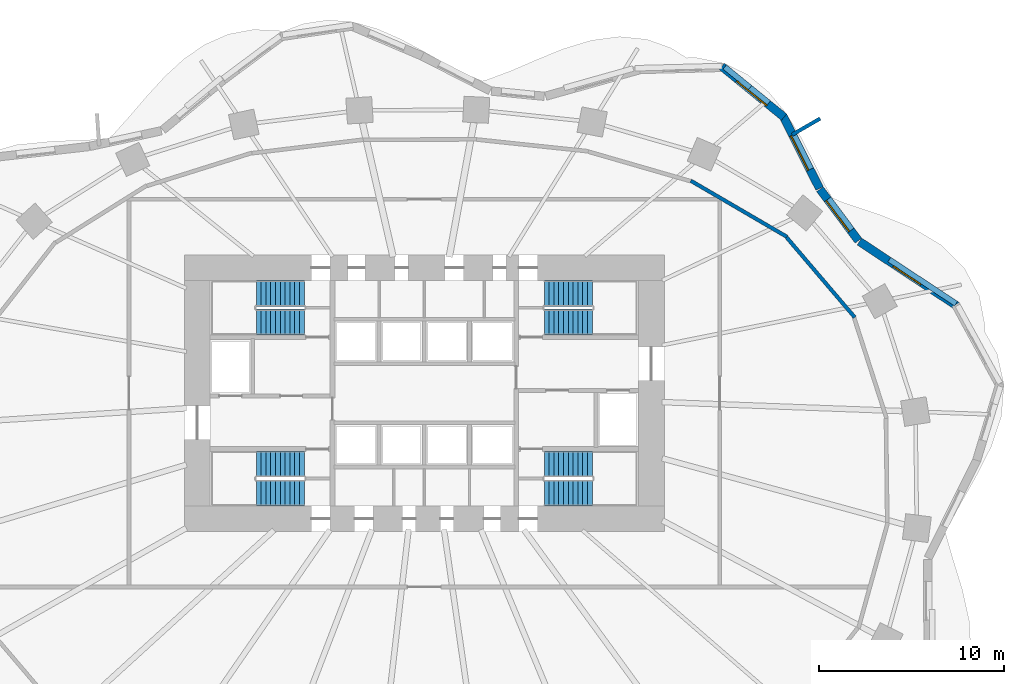
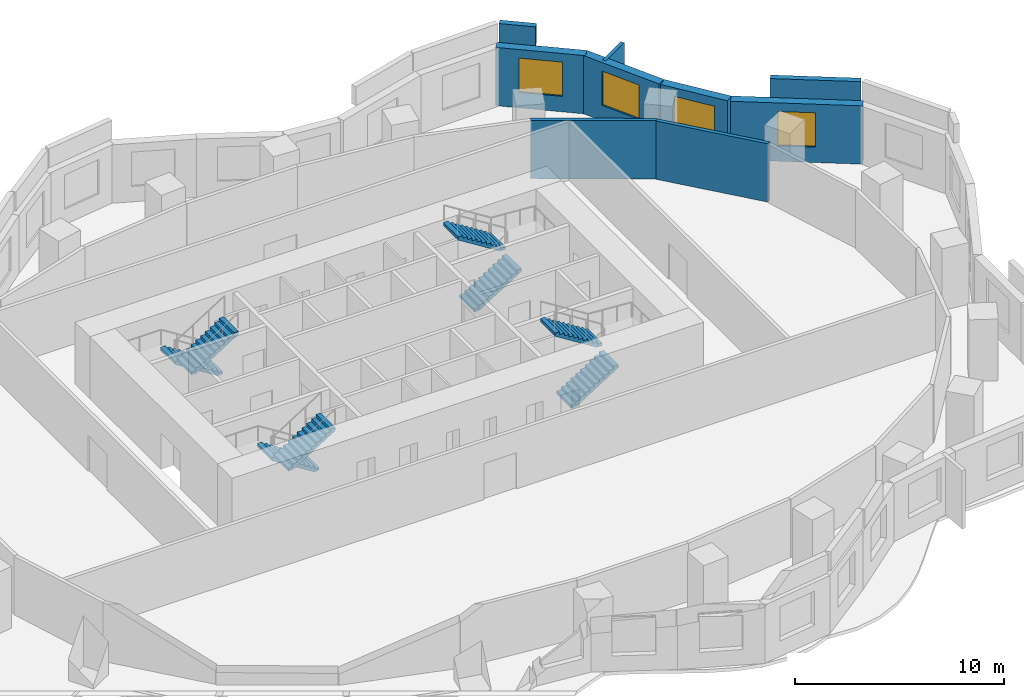
# One storey, part 7 of 8: 9 walls, 8 stair flights, 4 windows, 4 openings, 4 elements without a shape of their own.
"""IFC4 building model written with IfcOpenShell, lengths in metres."""

from ifc_helpers import new_model, si_unit, direction, frame, frame_2d, origin, place, context, subcontext, project, spatial, polyline, rectangle, outline, extrude, material, layer, layer_set, type_object, element, fill, aggregate, save


model = new_model("IFC4")

# Units and contexts
model_context = context("Model", 3, precision=1e-05, world=origin(), true_north=direction((0.0, 1.0)))
body_context = subcontext(model_context, "Body", "Model", "MODEL_VIEW")
ifc_project = project(units=[si_unit("LENGTHUNIT", "METRE"), si_unit("AREAUNIT", "SQUARE_METRE"), si_unit("VOLUMEUNIT", "CUBIC_METRE"), si_unit("PLANEANGLEUNIT", "RADIAN"), si_unit("MASSUNIT", "GRAM", prefix="KILO")], contexts=[model_context])

# Site, building, storey
site_placement = place(None, origin())
site = spatial("IfcSite", under=ifc_project, at=site_placement, CompositionType="ELEMENT")
building_placement = place(site_placement, origin())
building = spatial("IfcBuilding", under=site, at=building_placement, Name="Rubra Terraces Tower", CompositionType="ELEMENT")
storey_placement = place(building_placement, frame((0.0, 0.0, 55.5)))
storey = spatial("IfcBuildingStorey", under=building, at=storey_placement, Name="L11", CompositionType="ELEMENT", Elevation=55.5)

# Wall, opening, window
ifc_material_1 = material(Name="Brick masonry red-brown", Category="masonry")
ifc_layer_1 = layer(ifc_material_1, 0.449951171875)
ifc_layer_set_1 = layer_set([ifc_layer_1], Name="Brick masonry red-brown")
wall_type_1 = type_object("IfcWallType", Name="Brick facade wall 450", PredefinedType="SOLIDWALL", material=ifc_layer_set_1)
wall_1_placement = place(storey_placement, frame((28.85302734375, 9.227294921875, 0.0), z_axis=(0.0, 0.0, 1.0), x_axis=(-0.834404370393, 0.551152743502, 0.0)))
wall_1 = element("IfcWall", 1, at=wall_1_placement, inside=storey, type_object=wall_type_1, Name="Facade wall L11 bay 3", PredefinedType="SOLIDWALL", context=body_context, shape_type="SweptSolid", body=[
    extrude(rectangle(XDim=6.329833984375, YDim=0.449951171875, at=frame_2d((3.1650390625, 0.0))), origin(), (0.0, 0.0, 1.0), 3.39990234375),
])
opening_1_placement = place(wall_1_placement, frame((2.264892578125, 0.0, 0.89990234375)))
opening_1 = element("IfcOpeningElement", 2, at=opening_1_placement, cuts=wall_1, Name="Opening W6", PredefinedType="OPENING", context=body_context, shape_type="SweptSolid", body=[
    extrude(rectangle(XDim=1.800048828125, YDim=2.0, at=frame_2d((0.89990234375, 1.0))), frame((0.0, 0.23486328125, 0.0), z_axis=(0.0, -1.0, 0.0), x_axis=(1.0, 0.0, 0.0)), (0.0, 0.0, 1.0), 0.469970703125),
])
ifc_material_2 = material(Name="Clear glass in aluminium frame", Category="aluminium")
window_type_1 = type_object("IfcWindowType", Name="Fixed deep-set window at wind fin 1800 x 2000", PartitioningType="SINGLE_PANEL", PredefinedType="WINDOW", material=ifc_material_2)
window_1_placement = place(opening_1_placement, origin())
window_1 = element("IfcWindow", 3, at=window_1_placement, inside=storey, type_object=window_type_1, Name="Window L11 bay 3", OverallHeight=2.0, OverallWidth=1.800048828125, PartitioningType="SINGLE_PANEL", PredefinedType="WINDOW", context=body_context, shape_type="SweptSolid", body=[
    extrude(rectangle(XDim=1.800048828125, YDim=2.0, at=frame_2d((0.89990234375, 1.0))), frame((0.0, 0.135009765625, 0.0), z_axis=(0.0, -1.0, 0.0), x_axis=(1.0, 0.0, 0.0)), (0.0, 0.0, 1.0), 0.06005859375),
])
fill(opening_1, window_1)

wall_2_placement = place(storey_placement, frame((23.520263671875, 12.762451171875, 0.0), z_axis=(0.0, 0.0, 1.0), x_axis=(-0.598664281495, 0.801000048728, 0.0)))
wall_2 = element("IfcWall", 4, at=wall_2_placement, inside=storey, type_object=wall_type_1, Name="Facade wall L11 bay 4", PredefinedType="SOLIDWALL", context=body_context, shape_type="SweptSolid", body=[
    extrude(rectangle(XDim=3.482177734375, YDim=0.449951171875, at=frame_2d((1.7412109375, 0.0))), origin(), (0.0, 0.0, 1.0), 3.39990234375),
])
opening_2_placement = place(wall_2_placement, frame((0.691162109375, 0.0, 0.89990234375)))
opening_2 = element("IfcOpeningElement", 5, at=opening_2_placement, cuts=wall_2, Name="Opening W1", PredefinedType="OPENING", context=body_context, shape_type="SweptSolid", body=[
    extrude(rectangle(XDim=2.10009765625, YDim=2.0, at=frame_2d((1.050048828125, 1.0))), frame((0.0, 0.23486328125, 0.0), z_axis=(0.0, -1.0, 0.0), x_axis=(1.0, 0.0, 0.0)), (0.0, 0.0, 1.0), 0.469970703125),
])
window_type_2 = type_object("IfcWindowType", Name="Fixed deep-set window 2100 x 2000", PartitioningType="SINGLE_PANEL", PredefinedType="WINDOW", material=ifc_material_2)
window_2_placement = place(opening_2_placement, origin())
window_2 = element("IfcWindow", 6, at=window_2_placement, inside=storey, type_object=window_type_2, Name="Window L11 bay 4", OverallHeight=2.0, OverallWidth=2.10009765625, PartitioningType="SINGLE_PANEL", PredefinedType="WINDOW", context=body_context, shape_type="SweptSolid", body=[
    extrude(rectangle(XDim=2.10009765625, YDim=2.0, at=frame_2d((1.050048828125, 1.0))), frame((0.0, 0.135009765625, 0.0), z_axis=(0.0, -1.0, 0.0), x_axis=(1.0, 0.0, 0.0)), (0.0, 0.0, 1.0), 0.06005859375),
])
fill(opening_2, window_2)

wall_3_placement = place(storey_placement, frame((21.41259765625, 15.586181640625, 0.0), z_axis=(0.0, 0.0, 1.0), x_axis=(-0.449428064685, 0.893316525467, 0.0)))
wall_3 = element("IfcWall", 7, at=wall_3_placement, inside=storey, type_object=wall_type_1, Name="Facade wall L11 bay 5", PredefinedType="SOLIDWALL", context=body_context, shape_type="SweptSolid", body=[
    extrude(rectangle(XDim=4.4072265625, YDim=0.449951171875, at=frame_2d((2.20361328125, 0.0))), origin(), (0.0, 0.0, 1.0), 3.39990234375),
])
opening_3_placement = place(wall_3_placement, frame((1.153564453125, 0.0, 0.89990234375)))
opening_3 = element("IfcOpeningElement", 8, at=opening_3_placement, cuts=wall_3, Name="Opening W1", PredefinedType="OPENING", context=body_context, shape_type="SweptSolid", body=[
    extrude(rectangle(XDim=2.10009765625, YDim=2.0, at=frame_2d((1.050048828125, 1.0))), frame((0.0, 0.23486328125, 0.0), z_axis=(0.0, -1.0, 0.0), x_axis=(1.0, 0.0, 0.0)), (0.0, 0.0, 1.0), 0.469970703125),
])
window_3_placement = place(opening_3_placement, origin())
window_3 = element("IfcWindow", 9, at=window_3_placement, inside=storey, type_object=window_type_2, Name="Window L11 bay 5", OverallHeight=2.0, OverallWidth=2.10009765625, PartitioningType="SINGLE_PANEL", PredefinedType="WINDOW", context=body_context, shape_type="SweptSolid", body=[
    extrude(rectangle(XDim=2.10009765625, YDim=2.0, at=frame_2d((1.050048828125, 1.0))), frame((0.0, 0.135009765625, 0.0), z_axis=(0.0, -1.0, 0.0), x_axis=(1.0, 0.0, 0.0)), (0.0, 0.0, 1.0), 0.06005859375),
])
fill(opening_3, window_3)

wall_4_placement = place(storey_placement, frame((19.48779296875, 19.45556640625, 0.0), z_axis=(0.0, 0.0, 1.0), x_axis=(-0.775096506427, 0.631842864741, 0.0)))
wall_4 = element("IfcWall", 10, at=wall_4_placement, inside=storey, type_object=wall_type_1, Name="Facade wall L11 bay 6", PredefinedType="SOLIDWALL", context=body_context, shape_type="SweptSolid", body=[
    extrude(rectangle(XDim=4.349365234375, YDim=0.449951171875, at=frame_2d((2.1748046875, 0.0))), origin(), (0.0, 0.0, 1.0), 3.39990234375),
])
opening_4_placement = place(wall_4_placement, frame((1.12451171875, 0.0, 0.89990234375)))
opening_4 = element("IfcOpeningElement", 11, at=opening_4_placement, cuts=wall_4, Name="Opening W1", PredefinedType="OPENING", context=body_context, shape_type="SweptSolid", body=[
    extrude(rectangle(XDim=2.10009765625, YDim=2.0, at=frame_2d((1.050048828125, 1.0))), frame((0.0, 0.23486328125, 0.0), z_axis=(0.0, -1.0, 0.0), x_axis=(1.0, 0.0, 0.0)), (0.0, 0.0, 1.0), 0.469970703125),
])
window_4_placement = place(opening_4_placement, origin())
window_4 = element("IfcWindow", 12, at=window_4_placement, inside=storey, type_object=window_type_2, Name="Window L11 bay 6", OverallHeight=2.0, OverallWidth=2.10009765625, PartitioningType="SINGLE_PANEL", PredefinedType="WINDOW", context=body_context, shape_type="SweptSolid", body=[
    extrude(rectangle(XDim=2.10009765625, YDim=2.0, at=frame_2d((1.050048828125, 1.0))), frame((0.0, 0.135009765625, 0.0), z_axis=(0.0, -1.0, 0.0), x_axis=(1.0, 0.0, 0.0)), (0.0, 0.0, 1.0), 0.06005859375),
])
fill(opening_4, window_4)

# Walls
ifc_layer_2 = layer(ifc_material_1, 0.300048828125)
ifc_layer_set_2 = layer_set([ifc_layer_2], Name="Brick masonry red-brown")
wall_type_2 = type_object("IfcWallType", Name="Brick parapet 300", PredefinedType="PARAPET", material=ifc_layer_set_2)
wall_5_placement = place(storey_placement, frame((28.80712890625, 9.347412109375, 3.60009765625), z_axis=(0.0, 0.0, 1.0), x_axis=(-0.834398186729, 0.551162104995, 0.0)))
element("IfcWall", 13, at=wall_5_placement, inside=storey, type_object=wall_type_2, Name="Parapet L11 bay 3", PredefinedType="PARAPET", context=body_context, shape_type="SweptSolid", body=[
    extrude(rectangle(XDim=4.33740234375, YDim=0.300048828125, at=frame_2d((2.168701171875, 0.0))), origin(), (0.0, 0.0, 1.0), 1.099853515625),
])
wall_6_placement = place(storey_placement, frame((17.646728515625, 21.05322265625, 3.60009765625), z_axis=(0.0, 0.0, 1.0), x_axis=(-0.775067490636, 0.631878457426, 0.0)))
element("IfcWall", 14, at=wall_6_placement, inside=storey, type_object=wall_type_2, Name="Parapet L11 bay 6", PredefinedType="PARAPET", context=body_context, shape_type="SweptSolid", body=[
    extrude(rectangle(XDim=1.771484375, YDim=0.300048828125, at=frame_2d((0.8857421875, 0.0))), origin(), (0.0, 0.0, 1.0), 1.099853515625),
])
ifc_layer_3 = layer(ifc_material_1, 0.199951171875)
ifc_layer_set_3 = layer_set([ifc_layer_3], Name="Brick masonry red-brown")
wall_type_3 = type_object("IfcWallType", Name="Brick wind fin 200", PredefinedType="SOLIDWALL", material=ifc_layer_set_3)
wall_7_placement = place(storey_placement, frame((19.927978515625, 18.50390625, 0.0), z_axis=(0.0, 0.0, 1.0), x_axis=(0.865881186914, 0.500249707794, 0.0)))
element("IfcWall", 15, at=wall_7_placement, inside=storey, type_object=wall_type_3, Name="Wind fin L11 3", PredefinedType="SOLIDWALL", context=body_context, shape_type="SweptSolid", body=[
    extrude(rectangle(XDim=1.75, YDim=0.199951171875, at=frame_2d((0.875, 0.0))), origin(), (0.0, 0.0, 1.0), 3.39990234375),
])
ifc_material_3 = material(Name="Blockwork", Category="masonry")
ifc_layer_4 = layer(ifc_material_3, 0.199951171875)
ifc_layer_set_4 = layer_set([ifc_layer_4], Name="Blockwork")
wall_type_4 = type_object("IfcWallType", Name="Corridor partition 200 blockwork", PredefinedType="PARTITIONING", material=ifc_layer_set_4)
wall_8_placement = place(storey_placement, frame((14.43603515625, 16.009033203125, 0.0), z_axis=(0.0, 0.0, 1.0), x_axis=(0.863814140683, -0.503810609611, 0.0)))
element("IfcWall", 16, at=wall_8_placement, inside=storey, type_object=wall_type_4, Name="Partition wall", PredefinedType="PARTITIONING", context=body_context, shape_type="SweptSolid", body=[
    extrude(rectangle(XDim=6.0302734375, YDim=0.199951171875, at=frame_2d((3.01513671875, 0.0))), origin(), (0.0, 0.0, 1.0), 3.39990234375),
])
wall_9_placement = place(storey_placement, frame((19.6240234375, 12.945068359375, 0.0), z_axis=(0.0, 0.0, 1.0), x_axis=(0.648549295441, -0.761172655435, 0.0)))
element("IfcWall", 17, at=wall_9_placement, inside=storey, type_object=wall_type_4, Name="Partition wall", PredefinedType="PARTITIONING", context=body_context, shape_type="SweptSolid", body=[
    extrude(rectangle(XDim=5.692626953125, YDim=0.199951171875, at=frame_2d((2.84619140625, 0.0))), origin(), (0.0, 0.0, 1.0), 3.39990234375),
])

# Stair, stair flights
ifc_material_4 = material(Name="Concrete C40", Category="concrete")
stair_type = type_object("IfcStairType", Name="Core stair 1400", PredefinedType="HALF_TURN_STAIR", material=ifc_material_4)
stair_1_placement = place(storey_placement, origin())
stair_1 = element("IfcStair", 18, at=stair_1_placement, inside=storey, type_object=stair_type, Name="L11 Exit stair S1", PredefinedType="HALF_TURN_STAIR")
stair_flight_type = type_object("IfcStairFlightType", Name="Core stair flight 1400", PredefinedType="STRAIGHT", material=ifc_material_4)
stair_flight_1_placement = place(storey_placement, frame((-6.5, 0.64990234375, 0.0), z_axis=(0.0, 0.0, 1.0), x_axis=(-1.0, 0.0, 0.0)))
stair_flight_1 = element("IfcStairFlight", 19, at=stair_flight_1_placement, type_object=stair_flight_type, Name="S1 flight 1", NumberOfRisers=11, NumberOfTreads=10, PredefinedType="STRAIGHT", RiserHeight=0.163636364, TreadLength=0.26, context=body_context, shape_type="SweptSolid", body=[
    extrude(outline(polyline([(0.0, 0.0), (0.0, 0.16357421875), (0.260009765625, 0.16357421875), (0.260009765625, 0.327392578125), (0.52001953125, 0.327392578125), (0.52001953125, 0.490966796875), (0.780029296875, 0.490966796875), (0.780029296875, 0.654541015625), (1.0400390625, 0.654541015625), (1.0400390625, 0.818115234375), (1.300048828125, 0.818115234375), (1.300048828125, 0.98193359375), (1.56005859375, 0.98193359375), (1.56005859375, 1.1455078125), (1.820068359375, 1.1455078125), (1.820068359375, 1.30908203125), (2.080078125, 1.30908203125), (2.080078125, 1.47265625), (2.340087890625, 1.47265625), (2.340087890625, 1.636474609375), (2.60009765625, 1.636474609375), (2.60009765625, 1.800048828125), (2.60009765625, 1.459228515625), (0.281494140625, 0.0), (0.0, 0.0)])), frame((0.0, 0.699951171875, 0.0), z_axis=(0.0, -1.0, 0.0), x_axis=(1.0, 0.0, 0.0)), (0.0, 0.0, 1.0), 1.39990234375),
])
stair_flight_2_placement = place(storey_placement, frame((-9.10009765625, -0.89990234375, 1.800048828125), z_axis=(0.0, 0.0, 1.0), x_axis=(1.0, 0.0, 0.0)))
stair_flight_2 = element("IfcStairFlight", 20, at=stair_flight_2_placement, type_object=stair_flight_type, Name="S1 flight 2", NumberOfRisers=11, NumberOfTreads=10, PredefinedType="STRAIGHT", RiserHeight=0.163636364, TreadLength=0.26, context=body_context, shape_type="SweptSolid", body=[
    extrude(outline(polyline([(0.0, 0.0), (0.0, 0.16357421875), (0.260009765625, 0.16357421875), (0.260009765625, 0.327392578125), (0.52001953125, 0.327392578125), (0.52001953125, 0.490966796875), (0.780029296875, 0.490966796875), (0.780029296875, 0.654541015625), (1.0400390625, 0.654541015625), (1.0400390625, 0.818115234375), (1.300048828125, 0.818115234375), (1.300048828125, 0.98193359375), (1.56005859375, 0.98193359375), (1.56005859375, 1.1455078125), (1.820068359375, 1.1455078125), (1.820068359375, 1.30908203125), (2.080078125, 1.30908203125), (2.080078125, 1.47265625), (2.340087890625, 1.47265625), (2.340087890625, 1.636474609375), (2.60009765625, 1.636474609375), (2.60009765625, 1.800048828125), (2.60009765625, 1.459228515625), (0.281494140625, 0.0), (0.0, 0.0)])), frame((0.0, 0.699951171875, 0.0), z_axis=(0.0, -1.0, 0.0), x_axis=(1.0, 0.0, 0.0)), (0.0, 0.0, 1.0), 1.39990234375),
])
aggregate(stair_1, [stair_flight_1, stair_flight_2])

stair_2_placement = place(storey_placement, origin())
stair_2 = element("IfcStair", 21, at=stair_2_placement, inside=storey, type_object=stair_type, Name="L11 Exit stair S2", PredefinedType="HALF_TURN_STAIR")
stair_flight_3_placement = place(storey_placement, frame((-6.5, 9.89990234375, 0.0), z_axis=(0.0, 0.0, 1.0), x_axis=(-1.0, 0.0, 0.0)))
stair_flight_3 = element("IfcStairFlight", 22, at=stair_flight_3_placement, type_object=stair_flight_type, Name="S2 flight 1", NumberOfRisers=11, NumberOfTreads=10, PredefinedType="STRAIGHT", RiserHeight=0.163636364, TreadLength=0.26, context=body_context, shape_type="SweptSolid", body=[
    extrude(outline(polyline([(0.0, 0.0), (0.0, 0.16357421875), (0.260009765625, 0.16357421875), (0.260009765625, 0.327392578125), (0.52001953125, 0.327392578125), (0.52001953125, 0.490966796875), (0.780029296875, 0.490966796875), (0.780029296875, 0.654541015625), (1.0400390625, 0.654541015625), (1.0400390625, 0.818115234375), (1.300048828125, 0.818115234375), (1.300048828125, 0.98193359375), (1.56005859375, 0.98193359375), (1.56005859375, 1.1455078125), (1.820068359375, 1.1455078125), (1.820068359375, 1.30908203125), (2.080078125, 1.30908203125), (2.080078125, 1.47265625), (2.340087890625, 1.47265625), (2.340087890625, 1.636474609375), (2.60009765625, 1.636474609375), (2.60009765625, 1.800048828125), (2.60009765625, 1.459228515625), (0.281494140625, 0.0), (0.0, 0.0)])), frame((0.0, 0.699951171875, 0.0), z_axis=(0.0, -1.0, 0.0), x_axis=(1.0, 0.0, 0.0)), (0.0, 0.0, 1.0), 1.39990234375),
])
stair_flight_4_placement = place(storey_placement, frame((-9.10009765625, 8.35009765625, 1.800048828125), z_axis=(0.0, 0.0, 1.0), x_axis=(1.0, 0.0, 0.0)))
stair_flight_4 = element("IfcStairFlight", 23, at=stair_flight_4_placement, type_object=stair_flight_type, Name="S2 flight 2", NumberOfRisers=11, NumberOfTreads=10, PredefinedType="STRAIGHT", RiserHeight=0.163636364, TreadLength=0.26, context=body_context, shape_type="SweptSolid", body=[
    extrude(outline(polyline([(0.0, 0.0), (0.0, 0.16357421875), (0.260009765625, 0.16357421875), (0.260009765625, 0.327392578125), (0.52001953125, 0.327392578125), (0.52001953125, 0.490966796875), (0.780029296875, 0.490966796875), (0.780029296875, 0.654541015625), (1.0400390625, 0.654541015625), (1.0400390625, 0.818115234375), (1.300048828125, 0.818115234375), (1.300048828125, 0.98193359375), (1.56005859375, 0.98193359375), (1.56005859375, 1.1455078125), (1.820068359375, 1.1455078125), (1.820068359375, 1.30908203125), (2.080078125, 1.30908203125), (2.080078125, 1.47265625), (2.340087890625, 1.47265625), (2.340087890625, 1.636474609375), (2.60009765625, 1.636474609375), (2.60009765625, 1.800048828125), (2.60009765625, 1.459228515625), (0.281494140625, 0.0), (0.0, 0.0)])), frame((0.0, 0.699951171875, 0.0), z_axis=(0.0, -1.0, 0.0), x_axis=(1.0, 0.0, 0.0)), (0.0, 0.0, 1.0), 1.39990234375),
])
aggregate(stair_2, [stair_flight_3, stair_flight_4])

stair_3_placement = place(storey_placement, origin())
stair_3 = element("IfcStair", 24, at=stair_3_placement, inside=storey, type_object=stair_type, Name="L11 Exit stair S3", PredefinedType="HALF_TURN_STAIR")
stair_flight_5_placement = place(storey_placement, frame((6.5, 8.35009765625, 0.0), z_axis=(0.0, 0.0, 1.0), x_axis=(1.0, 0.0, 0.0)))
stair_flight_5 = element("IfcStairFlight", 25, at=stair_flight_5_placement, type_object=stair_flight_type, Name="S3 flight 1", NumberOfRisers=11, NumberOfTreads=10, PredefinedType="STRAIGHT", RiserHeight=0.163636364, TreadLength=0.26, context=body_context, shape_type="SweptSolid", body=[
    extrude(outline(polyline([(0.0, 0.0), (0.0, 0.16357421875), (0.260009765625, 0.16357421875), (0.260009765625, 0.327392578125), (0.52001953125, 0.327392578125), (0.52001953125, 0.490966796875), (0.780029296875, 0.490966796875), (0.780029296875, 0.654541015625), (1.0400390625, 0.654541015625), (1.0400390625, 0.818115234375), (1.300048828125, 0.818115234375), (1.300048828125, 0.98193359375), (1.56005859375, 0.98193359375), (1.56005859375, 1.1455078125), (1.820068359375, 1.1455078125), (1.820068359375, 1.30908203125), (2.080078125, 1.30908203125), (2.080078125, 1.47265625), (2.340087890625, 1.47265625), (2.340087890625, 1.636474609375), (2.60009765625, 1.636474609375), (2.60009765625, 1.800048828125), (2.60009765625, 1.459228515625), (0.281494140625, 0.0), (0.0, 0.0)])), frame((0.0, 0.699951171875, 0.0), z_axis=(0.0, -1.0, 0.0), x_axis=(1.0, 0.0, 0.0)), (0.0, 0.0, 1.0), 1.39990234375),
])
stair_flight_6_placement = place(storey_placement, frame((9.10009765625, 9.89990234375, 1.800048828125), z_axis=(0.0, 0.0, 1.0), x_axis=(-1.0, 0.0, 0.0)))
stair_flight_6 = element("IfcStairFlight", 26, at=stair_flight_6_placement, type_object=stair_flight_type, Name="S3 flight 2", NumberOfRisers=11, NumberOfTreads=10, PredefinedType="STRAIGHT", RiserHeight=0.163636364, TreadLength=0.26, context=body_context, shape_type="SweptSolid", body=[
    extrude(outline(polyline([(0.0, 0.0), (0.0, 0.16357421875), (0.260009765625, 0.16357421875), (0.260009765625, 0.327392578125), (0.52001953125, 0.327392578125), (0.52001953125, 0.490966796875), (0.780029296875, 0.490966796875), (0.780029296875, 0.654541015625), (1.0400390625, 0.654541015625), (1.0400390625, 0.818115234375), (1.300048828125, 0.818115234375), (1.300048828125, 0.98193359375), (1.56005859375, 0.98193359375), (1.56005859375, 1.1455078125), (1.820068359375, 1.1455078125), (1.820068359375, 1.30908203125), (2.080078125, 1.30908203125), (2.080078125, 1.47265625), (2.340087890625, 1.47265625), (2.340087890625, 1.636474609375), (2.60009765625, 1.636474609375), (2.60009765625, 1.800048828125), (2.60009765625, 1.459228515625), (0.281494140625, 0.0), (0.0, 0.0)])), frame((0.0, 0.699951171875, 0.0), z_axis=(0.0, -1.0, 0.0), x_axis=(1.0, 0.0, 0.0)), (0.0, 0.0, 1.0), 1.39990234375),
])
aggregate(stair_3, [stair_flight_5, stair_flight_6])

stair_4_placement = place(storey_placement, origin())
stair_4 = element("IfcStair", 27, at=stair_4_placement, inside=storey, type_object=stair_type, Name="L11 Exit stair S4", PredefinedType="HALF_TURN_STAIR")
stair_flight_7_placement = place(storey_placement, frame((6.5, -0.89990234375, 0.0), z_axis=(0.0, 0.0, 1.0), x_axis=(1.0, 0.0, 0.0)))
stair_flight_7 = element("IfcStairFlight", 28, at=stair_flight_7_placement, type_object=stair_flight_type, Name="S4 flight 1", NumberOfRisers=11, NumberOfTreads=10, PredefinedType="STRAIGHT", RiserHeight=0.163636364, TreadLength=0.26, context=body_context, shape_type="SweptSolid", body=[
    extrude(outline(polyline([(0.0, 0.0), (0.0, 0.16357421875), (0.260009765625, 0.16357421875), (0.260009765625, 0.327392578125), (0.52001953125, 0.327392578125), (0.52001953125, 0.490966796875), (0.780029296875, 0.490966796875), (0.780029296875, 0.654541015625), (1.0400390625, 0.654541015625), (1.0400390625, 0.818115234375), (1.300048828125, 0.818115234375), (1.300048828125, 0.98193359375), (1.56005859375, 0.98193359375), (1.56005859375, 1.1455078125), (1.820068359375, 1.1455078125), (1.820068359375, 1.30908203125), (2.080078125, 1.30908203125), (2.080078125, 1.47265625), (2.340087890625, 1.47265625), (2.340087890625, 1.636474609375), (2.60009765625, 1.636474609375), (2.60009765625, 1.800048828125), (2.60009765625, 1.459228515625), (0.281494140625, 0.0), (0.0, 0.0)])), frame((0.0, 0.699951171875, 0.0), z_axis=(0.0, -1.0, 0.0), x_axis=(1.0, 0.0, 0.0)), (0.0, 0.0, 1.0), 1.39990234375),
])
stair_flight_8_placement = place(storey_placement, frame((9.10009765625, 0.64990234375, 1.800048828125), z_axis=(0.0, 0.0, 1.0), x_axis=(-1.0, 0.0, 0.0)))
stair_flight_8 = element("IfcStairFlight", 29, at=stair_flight_8_placement, type_object=stair_flight_type, Name="S4 flight 2", NumberOfRisers=11, NumberOfTreads=10, PredefinedType="STRAIGHT", RiserHeight=0.163636364, TreadLength=0.26, context=body_context, shape_type="SweptSolid", body=[
    extrude(outline(polyline([(0.0, 0.0), (0.0, 0.16357421875), (0.260009765625, 0.16357421875), (0.260009765625, 0.327392578125), (0.52001953125, 0.327392578125), (0.52001953125, 0.490966796875), (0.780029296875, 0.490966796875), (0.780029296875, 0.654541015625), (1.0400390625, 0.654541015625), (1.0400390625, 0.818115234375), (1.300048828125, 0.818115234375), (1.300048828125, 0.98193359375), (1.56005859375, 0.98193359375), (1.56005859375, 1.1455078125), (1.820068359375, 1.1455078125), (1.820068359375, 1.30908203125), (2.080078125, 1.30908203125), (2.080078125, 1.47265625), (2.340087890625, 1.47265625), (2.340087890625, 1.636474609375), (2.60009765625, 1.636474609375), (2.60009765625, 1.800048828125), (2.60009765625, 1.459228515625), (0.281494140625, 0.0), (0.0, 0.0)])), frame((0.0, 0.699951171875, 0.0), z_axis=(0.0, -1.0, 0.0), x_axis=(1.0, 0.0, 0.0)), (0.0, 0.0, 1.0), 1.39990234375),
])
aggregate(stair_4, [stair_flight_7, stair_flight_8])

save(model, "model.ifc")
